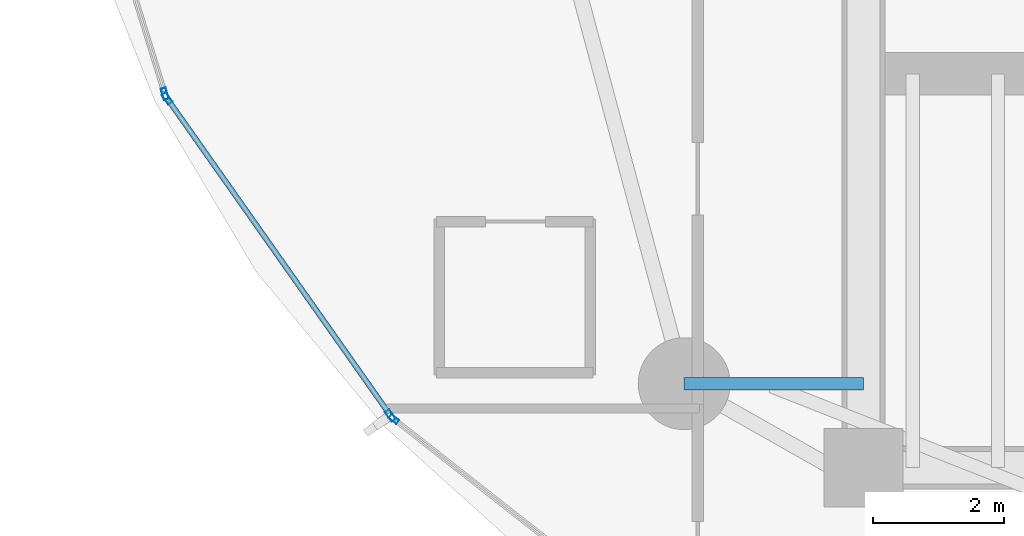
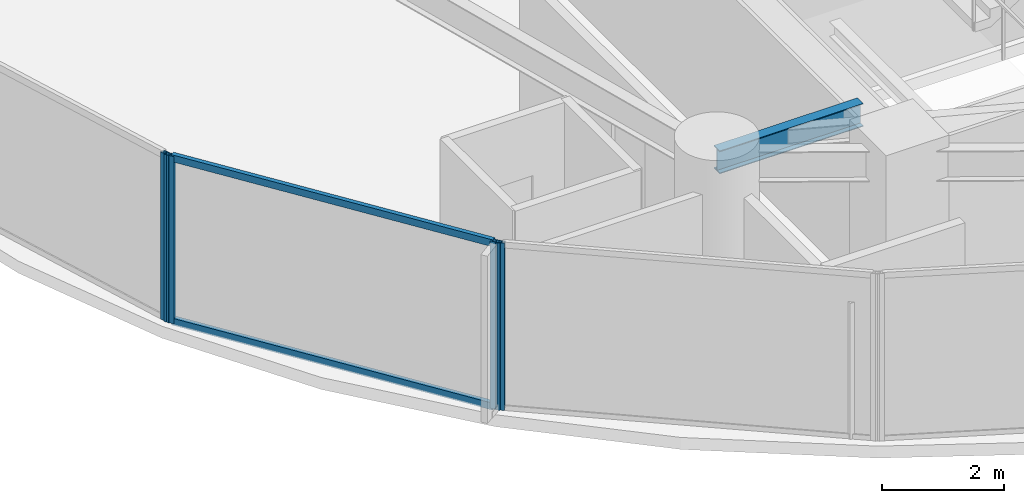
# One storey, part 3 of 33: 6 members, 1 beam, 3 elements without a shape of their own.
"""IFC4 building model written with IfcOpenShell, lengths in metres."""

import ifcopenshell
import ifcopenshell.guid

model = None  # the IFC model being written
_history = None  # IfcOwnerHistory: only IFC2X3 demands one
_inside = {}  # id of a spatial element -> (the spatial element, [elements in it])
_under = {}  # id of a project, library or spatial element -> (it, [spatial elements below it])
_declared = {}  # id of a project -> (the project, [libraries it declares])
_typed = {}  # id of a type object -> (the type object, [elements of that type])
_made_of = {}  # id of a material, layer set ... -> (it, [elements and type objects made of it])


def new_model(schema):
    """Start an empty IFC model of exactly this schema.

    Asked for "IFC4X3", IfcOpenShell would pick the latest addendum, in which some entities
    have other attributes; the version numbers below select the first issue.
    IFC2X3 requires an IfcOwnerHistory on every rooted entity: one is made here for all.
    """
    global model, _history
    if schema == "IFC4X3":
        model = ifcopenshell.file(schema_version=(4, 3, 0, 0))
    else:
        model = ifcopenshell.file(schema=schema)
    _inside.clear()
    _under.clear()
    _declared.clear()
    _typed.clear()
    _made_of.clear()
    _history = None
    if model.schema == "IFC2X3":
        org = make("IfcOrganization", Name="unknown")
        user = make(
            "IfcPersonAndOrganization",
            ThePerson=make("IfcPerson", FamilyName="unknown"),
            TheOrganization=org,
        )
        app = make(
            "IfcApplication",
            ApplicationDeveloper=org,
            Version="unknown",
            ApplicationFullName="unknown",
            ApplicationIdentifier="unknown",
        )
        _history = make(
            "IfcOwnerHistory",
            OwningUser=user,
            OwningApplication=app,
            ChangeAction="ADDED",
            CreationDate=0,
        )
    return model


def make(cls, **values):
    """One entity of the class cls with the attributes given. An attribute that is None is left unset."""
    return model.create_entity(
        cls, **{name: value for name, value in values.items() if value is not None}
    )


def rooted(cls, **values):
    """An entity with a GlobalId (a new one), such as an element, a storey or a relation."""
    return make(cls, GlobalId=ifcopenshell.guid.new(), OwnerHistory=_history, **values)


def si_unit(unit_type, name, prefix=None):
    """IfcSIUnit, for example si_unit("LENGTHUNIT", "METRE", prefix="MILLI")."""
    return make("IfcSIUnit", UnitType=unit_type, Prefix=prefix, Name=name)


def assignment(units):
    """IfcUnitAssignment: the units of a project."""
    return None if units is None else make("IfcUnitAssignment", Units=units)


def point(xyz):
    """IfcCartesianPoint."""
    return None if xyz is None else make("IfcCartesianPoint", Coordinates=xyz)


def direction(xyz):
    """IfcDirection."""
    return None if xyz is None else make("IfcDirection", DirectionRatios=xyz)


def frame(location, z_axis=None, x_axis=None):
    """IfcAxis2Placement3D, a coordinate frame: its origin and axes. An axis left out is left unset."""
    return make(
        "IfcAxis2Placement3D",
        Location=point(location),
        Axis=direction(z_axis),
        RefDirection=direction(x_axis),
    )


def frame_2d(location, x_axis=None):
    """IfcAxis2Placement2D, a coordinate frame in the plane: its origin and x axis."""
    return make(
        "IfcAxis2Placement2D", Location=point(location), RefDirection=direction(x_axis)
    )


def origin():
    """The frame at (0, 0, 0) with its axes left unset."""
    return frame((0.0, 0.0, 0.0))


def origin_2d():
    """The frame at (0, 0) in the plane with its x axis left unset."""
    return frame_2d((0.0, 0.0))


def place(relative_to, where):
    """IfcLocalPlacement: puts the frame where relative to a parent placement (None: the world)."""
    return make(
        "IfcLocalPlacement", PlacementRelTo=relative_to, RelativePlacement=where
    )


def context(
    kind, dimensions, precision=None, world=None, true_north=None, identifier=None
):
    """IfcGeometricRepresentationContext, for example the 3D "Model" context."""
    return make(
        "IfcGeometricRepresentationContext",
        ContextIdentifier=identifier,
        ContextType=kind,
        CoordinateSpaceDimension=dimensions,
        Precision=precision,
        WorldCoordinateSystem=world,
        TrueNorth=true_north,
    )


def subcontext(parent, identifier, kind, view, scale=None):
    """IfcGeometricRepresentationSubContext, for example "Body" below "Model"."""
    return make(
        "IfcGeometricRepresentationSubContext",
        ContextIdentifier=identifier,
        ContextType=kind,
        ParentContext=parent,
        TargetScale=scale,
        TargetView=view,
    )


def project(units=None, contexts=None):
    """IfcProject with its units and contexts."""
    return rooted(
        "IfcProject",
        Name="project",
        RepresentationContexts=contexts,
        UnitsInContext=assignment(units),
    )


def spatial(cls, under=None, at=None, **own):
    """A site, building, storey or space (cls), placed at a placement, below another one or the project."""
    s = rooted(cls, ObjectPlacement=at, **own)
    if under is not None:
        _under.setdefault(under.id(), (under, []))[1].append(s)
    return s


def profile(cls, at=None, kind="AREA", **sizes):
    """A parametric profile (cls). Its sizes go by their IFC names, for example OverallWidth=200.0."""
    return make(cls, ProfileType=kind, Position=at, **sizes)


def hollow_rectangle(**sizes):
    """IfcRectangleHollowProfileDef."""
    return profile("IfcRectangleHollowProfileDef", **sizes)


def i_section(**sizes):
    """IfcIShapeProfileDef."""
    return profile("IfcIShapeProfileDef", **sizes)


def extrude(swept, where, along, depth):
    """IfcExtrudedAreaSolid: the profile swept, set in the frame where, extruded along a direction by depth."""
    return make(
        "IfcExtrudedAreaSolid",
        SweptArea=swept,
        Position=where,
        ExtrudedDirection=direction(along),
        Depth=depth,
    )


def shape(context_of_items, identifier, shape_type, items):
    """IfcShapeRepresentation: the items that make up one representation, for example the "Body"."""
    return make(
        "IfcShapeRepresentation",
        ContextOfItems=context_of_items,
        RepresentationIdentifier=identifier,
        RepresentationType=shape_type,
        Items=items,
    )


def material(Name=None, Category=None):
    """IfcMaterial."""
    return make("IfcMaterial", Name=Name, Category=Category)


def layer(
    of_material, thickness, ventilated=None, Name=None, Category=None, Priority=None
):
    """IfcMaterialLayer: one layer of a wall or slab, of a material (None: an air gap)."""
    return make(
        "IfcMaterialLayer",
        Material=of_material,
        LayerThickness=thickness,
        IsVentilated=ventilated,
        Name=Name,
        Category=Category,
        Priority=Priority,
    )


def layer_set(layers, Name=None):
    """IfcMaterialLayerSet."""
    return make("IfcMaterialLayerSet", MaterialLayers=layers, LayerSetName=Name)


def material_profile(
    of_material, cross_section, Name=None, Category=None, Priority=None
):
    """IfcMaterialProfile: a cross section and its material."""
    return make(
        "IfcMaterialProfile",
        Name=Name,
        Material=of_material,
        Profile=cross_section,
        Priority=Priority,
        Category=Category,
    )


def profile_set(profiles, Name=None, composite=None):
    """IfcMaterialProfileSet."""
    return make(
        "IfcMaterialProfileSet",
        Name=Name,
        MaterialProfiles=profiles,
        CompositeProfile=composite,
    )


def made_of(thing, what):
    """Note that an element or type object is made of a material, layer set ...; save() writes the relation."""
    if what is not None:
        _made_of.setdefault(what.id(), (what, []))[1].append(thing)
    return thing


def type_object(cls, material=None, **own):
    """A type object (cls), such as IfcWallType, which elements share."""
    return made_of(rooted(cls, **own), material)


def element(
    cls,
    number,
    at=None,
    inside=None,
    cuts=None,
    type_object=None,
    material=None,
    context=None,
    identifier="Body",
    shape_type=None,
    held_by="IfcProductDefinitionShape",
    body=None,
    shapes=None,
    **own,
):
    """One element of the class cls, such as IfcWall. Its Tag is "e" and its number.

    at: its placement. inside: the storey or other place that contains it. cuts: it is an
    opening in that element (IfcRelVoidsElement). A single representation is given by context,
    identifier, shape_type and body (its items); several are given by shapes. held_by: the class
    of the entity that holds the representations. save() writes the other relations.
    """
    e = rooted(cls, Tag="e%d" % number, ObjectPlacement=at, **own)
    if body is not None:
        shapes = [shape(context, identifier, shape_type, body)]
    if shapes is not None:
        e.Representation = make(held_by, Representations=shapes)
    if inside is not None:
        _inside.setdefault(inside.id(), (inside, []))[1].append(e)
    if cuts is not None:
        rooted(
            "IfcRelVoidsElement", RelatingBuildingElement=cuts, RelatedOpeningElement=e
        )
    if type_object is not None:
        _typed.setdefault(type_object.id(), (type_object, []))[1].append(e)
    return made_of(e, material)


def aggregate(whole, parts):
    """IfcRelAggregates: a whole, such as a stair, and the parts it consists of."""
    return rooted("IfcRelAggregates", RelatingObject=whole, RelatedObjects=parts)


def save(model, path):
    """Write the relations noted so far, then the file.

    IfcRelAggregates (storeys below a building ...), IfcRelContainedInSpatialStructure (elements
    in a storey), IfcRelDefinesByType, IfcRelAssociatesMaterial and IfcRelDeclares: one each for
    every whole, place, type object, material and project.
    """
    for whole, parts in _under.values():
        aggregate(whole, parts)
    for where, things in _inside.values():
        rooted(
            "IfcRelContainedInSpatialStructure",
            RelatedElements=things,
            RelatingStructure=where,
        )
    for kind, things in _typed.values():
        rooted("IfcRelDefinesByType", RelatedObjects=things, RelatingType=kind)
    for what, things in _made_of.values():
        rooted("IfcRelAssociatesMaterial", RelatedObjects=things, RelatingMaterial=what)
    for by, libraries in _declared.values():
        rooted("IfcRelDeclares", RelatingContext=by, RelatedDefinitions=libraries)
    model.write(path)


model = new_model("IFC4")

# Units and contexts
model_context = context("Model", 3, precision=1e-05, world=origin(), true_north=direction((0.0, 1.0)))
body_context = subcontext(model_context, "Body", "Model", "MODEL_VIEW")
ifc_project = project(units=[si_unit("LENGTHUNIT", "METRE"), si_unit("AREAUNIT", "SQUARE_METRE"), si_unit("VOLUMEUNIT", "CUBIC_METRE"), si_unit("PLANEANGLEUNIT", "RADIAN"), si_unit("MASSUNIT", "GRAM", prefix="KILO")], contexts=[model_context])

# Site, building, storey
site_placement = place(None, origin())
site = spatial("IfcSite", under=ifc_project, at=site_placement, CompositionType="ELEMENT")
building_placement = place(site_placement, origin())
building = spatial("IfcBuilding", under=site, at=building_placement, Name="Kazevale Care Tower and Concert Hall", CompositionType="ELEMENT")
storey_placement = place(building_placement, frame((0.0, 0.0, 45.60009765625)))
storey = spatial("IfcBuildingStorey", under=building, at=storey_placement, Name="L11", CompositionType="ELEMENT", Elevation=45.60009765625)

# Curtain wall, members
ifc_material_1 = material(Name="Aluminium 6063-T6 and Low-E Glass", Category="aluminium")
ifc_layer_1 = layer(ifc_material_1, 0.179931640625)
ifc_layer_set_1 = layer_set([ifc_layer_1], Name="Aluminium 6063-T6 and Low-E Glass")
curtain_wall_type_1 = type_object("IfcCurtainWallType", Name="Waist & Upper Residential Curtain Wall CW-4", PredefinedType="NOTDEFINED", material=ifc_layer_set_1)
curtain_wall_1_placement = place(storey_placement, origin())
curtain_wall_1 = element("IfcCurtainWall", 1, at=curtain_wall_1_placement, inside=storey, type_object=curtain_wall_type_1, Name="cw:L11:f11", PredefinedType="NOTDEFINED")
ifc_material_2 = material(Name="Aluminium 6063-T6", Category="aluminium")
ifc_material_profile_1 = material_profile(ifc_material_2, hollow_rectangle(XDim=0.080078125, YDim=0.179931640625, WallThickness=0.0048828125, at=origin_2d()), Name="ALU80x180x5")
ifc_profile_set_1 = profile_set([ifc_material_profile_1], Name="Aluminium 6063-T6")
member_type_1 = type_object("IfcMemberType", Name="CW-4 Mullion ALU80x180x5", PredefinedType="MULLION", material=ifc_profile_set_1)
member_1_placement = place(storey_placement, frame((14.794921875, 24.396728515625, 0.0), z_axis=(0.0, 0.0, 1.0), x_axis=(-0.817564654583, -0.575836813322, 0.0)))
member_1 = element("IfcMember", 2, at=member_1_placement, type_object=member_type_1, Name="CW-4 mullion 1", PredefinedType="MULLION", context=body_context, shape_type="SweptSolid", body=[
    extrude(hollow_rectangle(XDim=0.080078125, YDim=0.179931640625, WallThickness=0.0048828125, at=origin_2d()), origin(), (0.0, 0.0, 1.0), 3.35986328125),
])
member_2_placement = place(storey_placement, frame((11.39404296875, 29.225341796875, 0.0), z_axis=(0.0, 0.0, 1.0), x_axis=(-0.817564654583, -0.575836813322, 0.0)))
member_2 = element("IfcMember", 3, at=member_2_placement, type_object=member_type_1, Name="CW-4 mullion 2", PredefinedType="MULLION", context=body_context, shape_type="SweptSolid", body=[
    extrude(hollow_rectangle(XDim=0.080078125, YDim=0.179931640625, WallThickness=0.0048828125, at=origin_2d()), origin(), (0.0, 0.0, 1.0), 3.35986328125),
])

# Curtain wall, member
curtain_wall_2_placement = place(storey_placement, origin())
curtain_wall_2 = element("IfcCurtainWall", 4, at=curtain_wall_2_placement, inside=storey, type_object=curtain_wall_type_1, Name="cw:L11:f12", PredefinedType="NOTDEFINED")
member_3_placement = place(storey_placement, frame((11.359130859375, 29.296142578125, 0.0), z_axis=(0.0, 0.0, 1.0), x_axis=(-0.955157326175, -0.296098771112, 0.0)))
member_3 = element("IfcMember", 5, at=member_3_placement, type_object=member_type_1, Name="CW-4 mullion 1", PredefinedType="MULLION", context=body_context, shape_type="SweptSolid", body=[
    extrude(hollow_rectangle(XDim=0.080078125, YDim=0.179931640625, WallThickness=0.0048828125, at=origin_2d()), origin(), (0.0, 0.0, 1.0), 3.35986328125),
])
aggregate(curtain_wall_2, [member_3])

# Member
ifc_material_profile_2 = material_profile(ifc_material_2, hollow_rectangle(XDim=0.080078125, YDim=0.139892578125, WallThickness=0.00390625, at=origin_2d()), Name="ALU80x140x4")
ifc_profile_set_2 = profile_set([ifc_material_profile_2], Name="Aluminium 6063-T6")
member_type_2 = type_object("IfcMemberType", Name="CW-4 Transom ALU80x140x4", PredefinedType="USERDEFINED", material=ifc_profile_set_2)
member_4_placement = place(storey_placement, frame((14.77197265625, 24.429443359375, 0.039794921875), z_axis=(-0.575850423039, 0.817555068657, 0.0), x_axis=(-0.817555068657, -0.575850423039, 0.0)))
member_4 = element("IfcMember", 6, at=member_4_placement, type_object=member_type_2, Name="CW-4 transom 1.1", ObjectType="TRANSOM", PredefinedType="USERDEFINED", context=body_context, shape_type="SweptSolid", body=[
    extrude(hollow_rectangle(XDim=0.080078125, YDim=0.139892578125, WallThickness=0.00390625, at=origin_2d()), origin(), (0.0, 0.0, 1.0), 5.826171875),
])

member_5_placement = place(storey_placement, frame((14.77197265625, 24.429443359375, 3.31982421875), z_axis=(-0.575850423039, 0.817555068657, 0.0), x_axis=(-0.817555068657, -0.575850423039, 0.0)))
member_5 = element("IfcMember", 7, at=member_5_placement, type_object=member_type_2, Name="CW-4 transom 1.2", ObjectType="TRANSOM", PredefinedType="USERDEFINED", context=body_context, shape_type="SweptSolid", body=[
    extrude(hollow_rectangle(XDim=0.080078125, YDim=0.139892578125, WallThickness=0.00390625, at=origin_2d()), origin(), (0.0, 0.0, 1.0), 5.826171875),
])

aggregate(curtain_wall_1, [member_1, member_2, member_4, member_5])

# Curtain wall, member
ifc_layer_2 = layer(ifc_material_1, 0.179931640625)
ifc_layer_set_2 = layer_set([ifc_layer_2], Name="Aluminium 6063-T6 and Low-E Glass")
curtain_wall_type_2 = type_object("IfcCurtainWallType", Name="Sheltered Concave Balcony Curtain Wall CW-5", PredefinedType="NOTDEFINED", material=ifc_layer_set_2)
curtain_wall_3_placement = place(storey_placement, origin())
curtain_wall_3 = element("IfcCurtainWall", 8, at=curtain_wall_3_placement, inside=storey, type_object=curtain_wall_type_2, Name="cw:L11:f10", PredefinedType="NOTDEFINED")
ifc_material_profile_3 = material_profile(ifc_material_2, hollow_rectangle(XDim=0.074951171875, YDim=0.14990234375, WallThickness=0.00390625, at=origin_2d()), Name="ALU75x150x4")
ifc_profile_set_3 = profile_set([ifc_material_profile_3], Name="Aluminium 6063-T6")
member_type_3 = type_object("IfcMemberType", Name="CW-5 Mullion ALU75x150x4", PredefinedType="MULLION", material=ifc_profile_set_3)
member_6_placement = place(storey_placement, frame((14.847412109375, 24.3408203125, 0.0), z_axis=(0.0, 0.0, 1.0), x_axis=(-0.617807548814, -0.78632934107, 0.0)))
member_6 = element("IfcMember", 9, at=member_6_placement, type_object=member_type_3, Name="CW-5 mullion 2", PredefinedType="MULLION", context=body_context, shape_type="SweptSolid", body=[
    extrude(hollow_rectangle(XDim=0.074951171875, YDim=0.14990234375, WallThickness=0.00390625, at=origin_2d()), origin(), (0.0, 0.0, 1.0), 3.35986328125),
])
aggregate(curtain_wall_3, [member_6])

# Beam
ifc_material_3 = material(Name="Steel ASTM A572 Gr 50", Category="steel")
ifc_material_profile_4 = material_profile(ifc_material_3, i_section(OverallWidth=0.19091796875, OverallDepth=0.4599609375, WebThickness=0.010009765625, FlangeThickness=0.01611328125, at=origin_2d()), Name="W460x82")
ifc_profile_set_4 = profile_set([ifc_material_profile_4], Name="Steel ASTM A572 Gr 50")
beam_type = type_object("IfcBeamType", Name="Radial Floor Beam W460x82", PredefinedType="BEAM", material=ifc_profile_set_4)
beam_placement = place(storey_placement, frame((22.0, 24.8798828125, 3.1298828125), z_axis=(-1.0, 0.0, 0.0), x_axis=(0.0, -1.0, 0.0)))
element("IfcBeam", 10, at=beam_placement, inside=storey, type_object=beam_type, Name="beam:L11:rad:10", PredefinedType="BEAM", context=body_context, shape_type="SweptSolid", body=[
    extrude(i_section(OverallWidth=0.19091796875, OverallDepth=0.4599609375, WebThickness=0.010009765625, FlangeThickness=0.01611328125, at=origin_2d()), origin(), (0.0, 0.0, 1.0), 2.72998046875),
])

save(model, "model.ifc")
